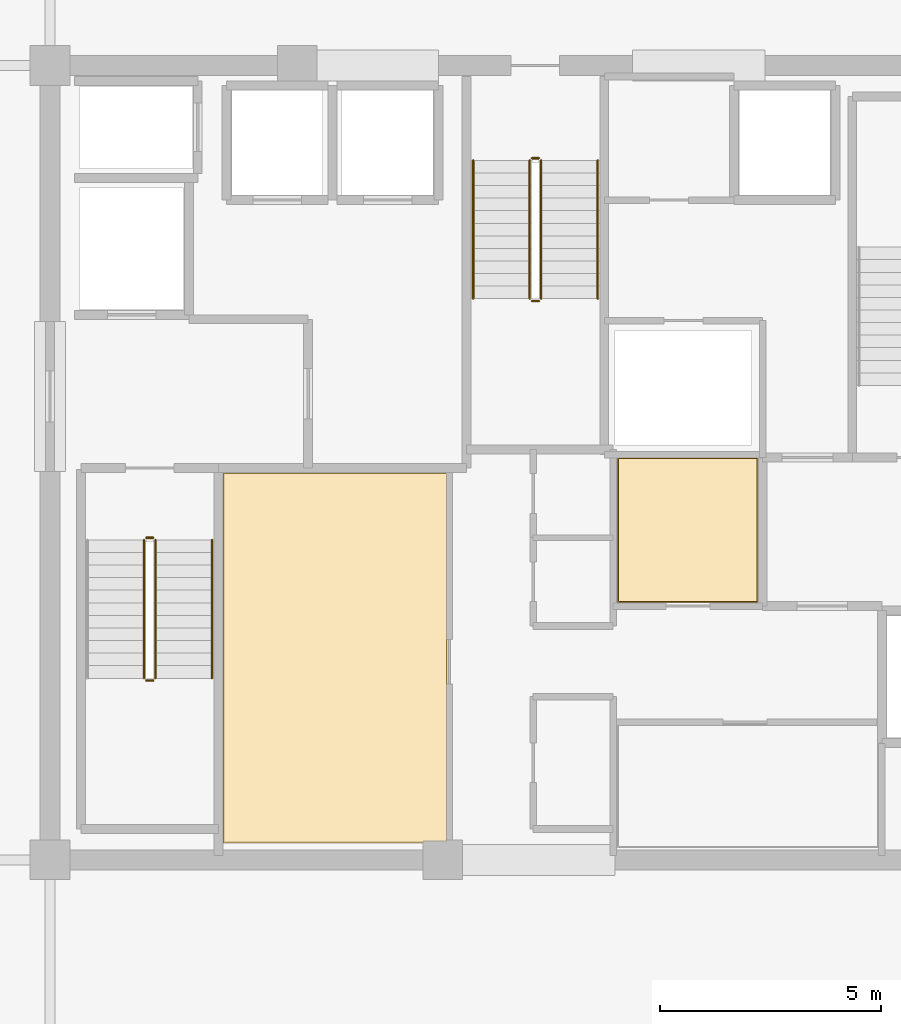
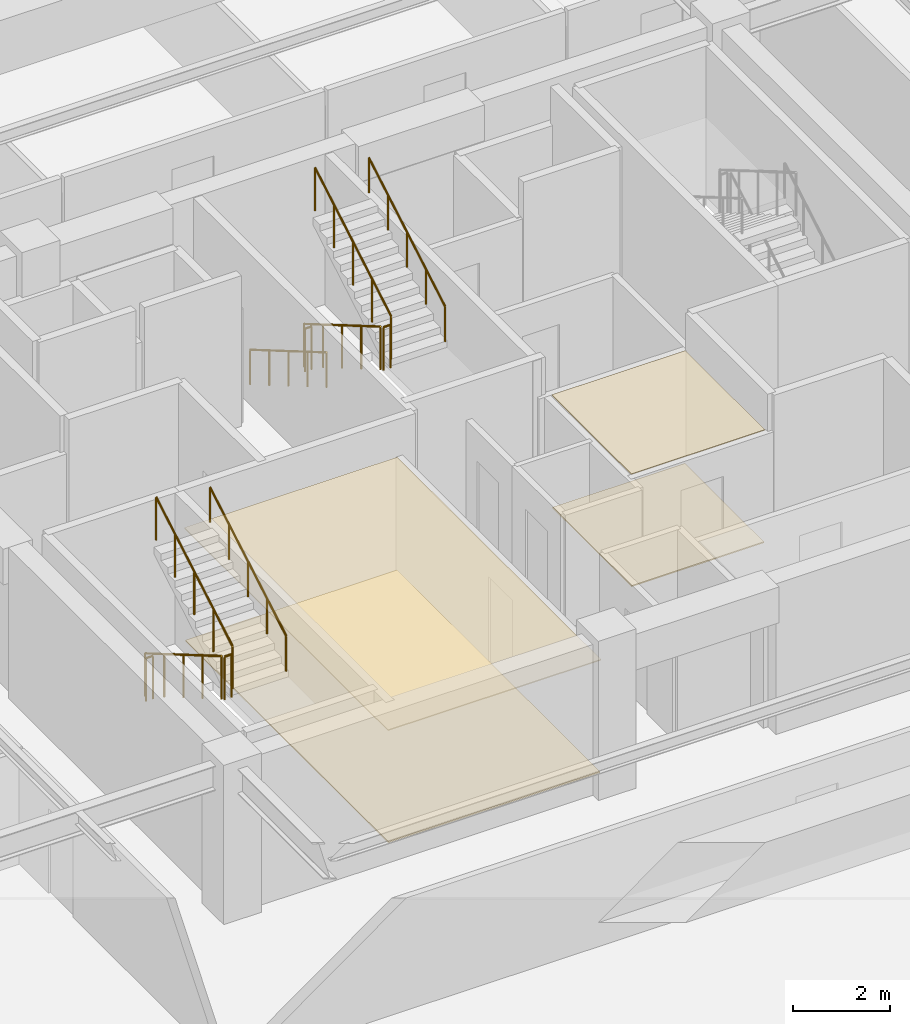
# One storey, part 18 of 20: 11 railings, 4 coverings.
"""IFC4 building model written with IfcOpenShell, lengths in metres."""

from ifc_helpers import new_model, si_unit, direction, frame, origin, origin_2d, place, context, subcontext, project, spatial, polyline, circle, outline, extrude, material, layer, layer_set, type_object, element, save


model = new_model("IFC4")

# Units and contexts
model_context = context("Model", 3, precision=1e-05, world=origin(), true_north=direction((0.0, 1.0)))
body_context = subcontext(model_context, "Body", "Model", "MODEL_VIEW")
ifc_project = project(units=[si_unit("LENGTHUNIT", "METRE"), si_unit("AREAUNIT", "SQUARE_METRE"), si_unit("VOLUMEUNIT", "CUBIC_METRE"), si_unit("PLANEANGLEUNIT", "RADIAN"), si_unit("MASSUNIT", "GRAM", prefix="KILO")], contexts=[model_context])

# Site, building, storey
site_placement = place(None, origin())
site = spatial("IfcSite", under=ifc_project, at=site_placement, CompositionType="ELEMENT")
building_placement = place(site_placement, origin())
building = spatial("IfcBuilding", under=site, at=building_placement, Name="Kovane Verandah Tower", CompositionType="ELEMENT")
storey_placement = place(building_placement, frame((0.0, 0.0, 287.199951171875)))
storey = spatial("IfcBuildingStorey", under=building, at=storey_placement, Name="L67", CompositionType="ELEMENT", Elevation=287.199951171875)

# Coverings
ifc_material_1 = material(Name="Perforated Acoustic Mineral-Fibre Ceiling Tile", Category="gypsum")
ifc_layer_1 = layer(ifc_material_1, 0.02490234375)
ifc_layer_set_1 = layer_set([ifc_layer_1], Name="Perforated Acoustic Mineral-Fibre Ceiling Tile")
covering_type_1 = type_object("IfcCoveringType", Name="CV-CEIL-25", PredefinedType="CEILING", material=ifc_layer_set_1)
covering_1_placement = place(storey_placement, frame((0.0, 0.0, 2.824951171875)))
element("IfcCovering", 1, at=covering_1_placement, inside=storey, type_object=covering_type_1, Name="L67 Tenant Wellness and Archive Suite Acoustic Ceiling", PredefinedType="CEILING", context=body_context, shape_type="SweptSolid", body=[
    extrude(outline(polyline([(32.93505859375, 18.885009765625), (37.9951171875, 18.885009765625), (37.9951171875, 27.264892578125), (32.93505859375, 27.264892578125), (32.93505859375, 18.885009765625)])), origin(), (0.0, 0.0, 1.0), 0.025146484375),
])
covering_2_placement = place(storey_placement, frame((0.0, 0.0, 2.824951171875)))
element("IfcCovering", 2, at=covering_2_placement, inside=storey, type_object=covering_type_1, Name="L67 Document Archive Room Acoustic Ceiling", PredefinedType="CEILING", context=body_context, shape_type="SweptSolid", body=[
    extrude(outline(polyline([(41.864990234375, 24.3349609375), (45.034912109375, 24.3349609375), (45.034912109375, 27.614990234375), (41.864990234375, 27.614990234375), (41.864990234375, 24.3349609375)])), origin(), (0.0, 0.0, 1.0), 0.025146484375),
])
ifc_material_2 = material(Name="Polished Terrazzo and Raised-Access Carpet Tile Finish", Category="concrete")
ifc_layer_2 = layer(ifc_material_2, 0.030029296875)
ifc_layer_set_2 = layer_set([ifc_layer_2], Name="Polished Terrazzo and Raised-Access Carpet Tile Finish")
covering_type_2 = type_object("IfcCoveringType", Name="CV-FLOR-30", PredefinedType="FLOORING", material=ifc_layer_set_2)
covering_3_placement = place(storey_placement, origin())
element("IfcCovering", 3, at=covering_3_placement, inside=storey, type_object=covering_type_2, Name="L67 Tenant Wellness and Archive Suite Floor Finish", PredefinedType="FLOORING", context=body_context, shape_type="SweptSolid", body=[
    extrude(outline(polyline([(32.949951171875, 18.89990234375), (37.97998046875, 18.89990234375), (37.97998046875, 27.25), (32.949951171875, 27.25), (32.949951171875, 18.89990234375)])), origin(), (0.0, 0.0, 1.0), 0.030029296875),
])
covering_4_placement = place(storey_placement, origin())
element("IfcCovering", 4, at=covering_4_placement, inside=storey, type_object=covering_type_2, Name="L67 Document Archive Room Floor Finish", PredefinedType="FLOORING", context=body_context, shape_type="SweptSolid", body=[
    extrude(outline(polyline([(41.8798828125, 24.35009765625), (45.02001953125, 24.35009765625), (45.02001953125, 27.60009765625), (41.8798828125, 27.60009765625), (41.8798828125, 24.35009765625)])), origin(), (0.0, 0.0, 1.0), 0.030029296875),
])

# Railings
ifc_material_3 = material(Name="Brushed Stainless Steel Handrail", Category="steel")
railing_type_1 = type_object("IfcRailingType", Name="RL-HAND-920", PredefinedType="HANDRAIL", material=ifc_material_3)
railing_1_placement = place(storey_placement, frame((32.669921875, 22.614990234375, 2.166748046875)))
element("IfcRailing", 5, at=railing_1_placement, inside=storey, type_object=railing_type_1, Name="L67 ST-01 stair handrail 2", PredefinedType="HANDRAIL", context=body_context, shape_type="SweptSolid", body=[
    extrude(circle(Radius=0.02392578125, at=origin_2d()), frame((0.0, 0.0, 0.8759765625), z_axis=(0.0, 0.863239559939, 0.504794475164), x_axis=(-1.0, 0.0, 0.0)), (0.0, 0.0, 1.0), 3.631591796875),
    extrude(circle(Radius=0.02099609375, at=origin_2d()), origin(), (0.0, 0.0, 1.0), 0.851806640625),
    extrude(circle(Radius=0.02099609375, at=origin_2d()), frame((0.0, 0.78369140625, 0.458251953125)), (0.0, 0.0, 1.0), 0.851806640625),
    extrude(circle(Radius=0.02099609375, at=origin_2d()), frame((0.0, 1.5673828125, 0.91650390625)), (0.0, 0.0, 1.0), 0.851806640625),
    extrude(circle(Radius=0.02099609375, at=origin_2d()), frame((0.0, 2.351318359375, 1.375)), (0.0, 0.0, 1.0), 0.851806640625),
    extrude(circle(Radius=0.02099609375, at=origin_2d()), frame((0.0, 3.135009765625, 1.833251953125)), (0.0, 0.0, 1.0), 0.851806640625),
])
railing_2_placement = place(storey_placement, frame((38.590087890625, 34.35009765625, 0.166748046875)))
element("IfcRailing", 6, at=railing_2_placement, inside=storey, type_object=railing_type_1, Name="L67 ST-03 stair handrail 1", PredefinedType="HANDRAIL", context=body_context, shape_type="SweptSolid", body=[
    extrude(circle(Radius=0.02392578125, at=origin_2d()), frame((0.0, 0.0, 0.8759765625), z_axis=(0.0, -0.863239559939, 0.504794475164), x_axis=(1.0, 0.0, 0.0)), (0.0, 0.0, 1.0), 3.631591796875),
    extrude(circle(Radius=0.02099609375, at=origin_2d()), origin(), (0.0, 0.0, 1.0), 0.851806640625),
    extrude(circle(Radius=0.02099609375, at=origin_2d()), frame((0.0, -0.78369140625, 0.458251953125)), (0.0, 0.0, 1.0), 0.851806640625),
    extrude(circle(Radius=0.02099609375, at=origin_2d()), frame((0.0, -1.5673828125, 0.91650390625)), (0.0, 0.0, 1.0), 0.851806640625),
    extrude(circle(Radius=0.02099609375, at=origin_2d()), frame((0.0, -2.351318359375, 1.375)), (0.0, 0.0, 1.0), 0.851806640625),
    extrude(circle(Radius=0.02099609375, at=origin_2d()), frame((0.0, -3.135009765625, 1.833251953125)), (0.0, 0.0, 1.0), 0.851806640625),
])
railing_3_placement = place(storey_placement, frame((41.409912109375, 31.215087890625, 2.166748046875)))
element("IfcRailing", 7, at=railing_3_placement, inside=storey, type_object=railing_type_1, Name="L67 ST-03 stair handrail 2", PredefinedType="HANDRAIL", context=body_context, shape_type="SweptSolid", body=[
    extrude(circle(Radius=0.02392578125, at=origin_2d()), frame((0.0, 0.0, 0.8759765625), z_axis=(0.0, 0.863239559939, 0.504794475164), x_axis=(-1.0, 0.0, 0.0)), (0.0, 0.0, 1.0), 3.631591796875),
    extrude(circle(Radius=0.02099609375, at=origin_2d()), origin(), (0.0, 0.0, 1.0), 0.851806640625),
    extrude(circle(Radius=0.02099609375, at=origin_2d()), frame((0.0, 0.78369140625, 0.458251953125)), (0.0, 0.0, 1.0), 0.851806640625),
    extrude(circle(Radius=0.02099609375, at=origin_2d()), frame((0.0, 1.5673828125, 0.91650390625)), (0.0, 0.0, 1.0), 0.851806640625),
    extrude(circle(Radius=0.02099609375, at=origin_2d()), frame((0.0, 2.351318359375, 1.375)), (0.0, 0.0, 1.0), 0.851806640625),
    extrude(circle(Radius=0.02099609375, at=origin_2d()), frame((0.0, 3.135009765625, 1.833251953125)), (0.0, 0.0, 1.0), 0.851806640625),
])
ifc_material_4 = material(Name="Painted Steel Stairwell Guardrail", Category="steel")
railing_type_2 = type_object("IfcRailingType", Name="RL-STGUARD-1120", PredefinedType="GUARDRAIL", material=ifc_material_4)
railing_4_placement = place(storey_placement, frame((31.1298828125, 25.75, 0.166748046875)))
element("IfcRailing", 8, at=railing_4_placement, inside=storey, type_object=railing_type_2, Name="L67 ST-01 stair guard 1", PredefinedType="GUARDRAIL", context=body_context, shape_type="SweptSolid", body=[
    extrude(circle(Radius=0.02392578125, at=origin_2d()), frame((0.0, 0.0, 1.076171875), z_axis=(0.0, -0.863239559939, 0.504794475164), x_axis=(1.0, 0.0, 0.0)), (0.0, 0.0, 1.0), 3.631591796875),
    extrude(circle(Radius=0.02099609375, at=origin_2d()), origin(), (0.0, 0.0, 1.0), 1.052001953125),
    extrude(circle(Radius=0.02099609375, at=origin_2d()), frame((0.0, -0.78369140625, 0.458251953125)), (0.0, 0.0, 1.0), 1.052001953125),
    extrude(circle(Radius=0.02099609375, at=origin_2d()), frame((0.0, -1.5673828125, 0.91650390625)), (0.0, 0.0, 1.0), 1.052001953125),
    extrude(circle(Radius=0.02099609375, at=origin_2d()), frame((0.0, -2.351318359375, 1.375)), (0.0, 0.0, 1.0), 1.052001953125),
    extrude(circle(Radius=0.02099609375, at=origin_2d()), frame((0.0, -3.135009765625, 1.833251953125)), (0.0, 0.0, 1.0), 1.052001953125),
])
railing_5_placement = place(storey_placement, frame((31.179931640625, 22.56494140625, 2.0)))
element("IfcRailing", 9, at=railing_5_placement, inside=storey, type_object=railing_type_2, Name="L67 ST-01 stair guard 2", PredefinedType="GUARDRAIL", context=body_context, shape_type="SweptSolid", body=[
    extrude(circle(Radius=0.02392578125, at=origin_2d()), frame((0.0, 0.0, 1.076171875), z_axis=(1.0, 0.0, 0.0), x_axis=(0.0, 1.0, 0.0)), (0.0, 0.0, 1.0), 0.16015625),
    extrude(circle(Radius=0.02099609375, at=origin_2d()), origin(), (0.0, 0.0, 1.0), 1.052001953125),
    extrude(circle(Radius=0.02099609375, at=origin_2d()), frame((0.16015625, 0.0, 0.0)), (0.0, 0.0, 1.0), 1.052001953125),
])
railing_6_placement = place(storey_placement, frame((31.389892578125, 22.614990234375, 2.166748046875)))
element("IfcRailing", 10, at=railing_6_placement, inside=storey, type_object=railing_type_2, Name="L67 ST-01 stair guard 3", PredefinedType="GUARDRAIL", context=body_context, shape_type="SweptSolid", body=[
    extrude(circle(Radius=0.02392578125, at=origin_2d()), frame((0.0, 0.0, 1.076171875), z_axis=(0.0, 0.863239559939, 0.504794475164), x_axis=(-1.0, 0.0, 0.0)), (0.0, 0.0, 1.0), 3.631591796875),
    extrude(circle(Radius=0.02099609375, at=origin_2d()), origin(), (0.0, 0.0, 1.0), 1.052001953125),
    extrude(circle(Radius=0.02099609375, at=origin_2d()), frame((0.0, 0.78369140625, 0.458251953125)), (0.0, 0.0, 1.0), 1.052001953125),
    extrude(circle(Radius=0.02099609375, at=origin_2d()), frame((0.0, 1.5673828125, 0.91650390625)), (0.0, 0.0, 1.0), 1.052001953125),
    extrude(circle(Radius=0.02099609375, at=origin_2d()), frame((0.0, 2.351318359375, 1.375)), (0.0, 0.0, 1.0), 1.052001953125),
    extrude(circle(Radius=0.02099609375, at=origin_2d()), frame((0.0, 3.135009765625, 1.833251953125)), (0.0, 0.0, 1.0), 1.052001953125),
])
railing_7_placement = place(storey_placement, frame((31.179931640625, 25.800048828125, 0.0)))
element("IfcRailing", 11, at=railing_7_placement, inside=storey, type_object=railing_type_2, Name="L67 ST-01 stair guard 4", PredefinedType="GUARDRAIL", context=body_context, shape_type="SweptSolid", body=[
    extrude(circle(Radius=0.02392578125, at=origin_2d()), frame((0.0, 0.0, 1.076171875), z_axis=(1.0, 0.0, 0.0), x_axis=(0.0, 1.0, 0.0)), (0.0, 0.0, 1.0), 0.16015625),
    extrude(circle(Radius=0.02099609375, at=origin_2d()), origin(), (0.0, 0.0, 1.0), 1.052001953125),
    extrude(circle(Radius=0.02099609375, at=origin_2d()), frame((0.16015625, 0.0, 0.0)), (0.0, 0.0, 1.0), 1.052001953125),
])
railing_8_placement = place(storey_placement, frame((39.8701171875, 34.35009765625, 0.166748046875)))
element("IfcRailing", 12, at=railing_8_placement, inside=storey, type_object=railing_type_2, Name="L67 ST-03 stair guard 1", PredefinedType="GUARDRAIL", context=body_context, shape_type="SweptSolid", body=[
    extrude(circle(Radius=0.02392578125, at=origin_2d()), frame((0.0, 0.0, 1.076171875), z_axis=(0.0, -0.863239559939, 0.504794475164), x_axis=(1.0, 0.0, 0.0)), (0.0, 0.0, 1.0), 3.631591796875),
    extrude(circle(Radius=0.02099609375, at=origin_2d()), origin(), (0.0, 0.0, 1.0), 1.052001953125),
    extrude(circle(Radius=0.02099609375, at=origin_2d()), frame((0.0, -0.78369140625, 0.458251953125)), (0.0, 0.0, 1.0), 1.052001953125),
    extrude(circle(Radius=0.02099609375, at=origin_2d()), frame((0.0, -1.5673828125, 0.91650390625)), (0.0, 0.0, 1.0), 1.052001953125),
    extrude(circle(Radius=0.02099609375, at=origin_2d()), frame((0.0, -2.351318359375, 1.375)), (0.0, 0.0, 1.0), 1.052001953125),
    extrude(circle(Radius=0.02099609375, at=origin_2d()), frame((0.0, -3.135009765625, 1.833251953125)), (0.0, 0.0, 1.0), 1.052001953125),
])
railing_9_placement = place(storey_placement, frame((39.919921875, 31.1650390625, 2.0)))
element("IfcRailing", 13, at=railing_9_placement, inside=storey, type_object=railing_type_2, Name="L67 ST-03 stair guard 2", PredefinedType="GUARDRAIL", context=body_context, shape_type="SweptSolid", body=[
    extrude(circle(Radius=0.02392578125, at=origin_2d()), frame((0.0, 0.0, 1.076171875), z_axis=(1.0, 0.0, 0.0), x_axis=(0.0, 1.0, 0.0)), (0.0, 0.0, 1.0), 0.16015625),
    extrude(circle(Radius=0.02099609375, at=origin_2d()), origin(), (0.0, 0.0, 1.0), 1.052001953125),
    extrude(circle(Radius=0.02099609375, at=origin_2d()), frame((0.16015625, 0.0, 0.0)), (0.0, 0.0, 1.0), 1.052001953125),
])
railing_10_placement = place(storey_placement, frame((40.1298828125, 31.215087890625, 2.166748046875)))
element("IfcRailing", 14, at=railing_10_placement, inside=storey, type_object=railing_type_2, Name="L67 ST-03 stair guard 3", PredefinedType="GUARDRAIL", context=body_context, shape_type="SweptSolid", body=[
    extrude(circle(Radius=0.02392578125, at=origin_2d()), frame((0.0, 0.0, 1.076171875), z_axis=(0.0, 0.863239559939, 0.504794475164), x_axis=(-1.0, 0.0, 0.0)), (0.0, 0.0, 1.0), 3.631591796875),
    extrude(circle(Radius=0.02099609375, at=origin_2d()), origin(), (0.0, 0.0, 1.0), 1.052001953125),
    extrude(circle(Radius=0.02099609375, at=origin_2d()), frame((0.0, 0.78369140625, 0.458251953125)), (0.0, 0.0, 1.0), 1.052001953125),
    extrude(circle(Radius=0.02099609375, at=origin_2d()), frame((0.0, 1.5673828125, 0.91650390625)), (0.0, 0.0, 1.0), 1.052001953125),
    extrude(circle(Radius=0.02099609375, at=origin_2d()), frame((0.0, 2.351318359375, 1.375)), (0.0, 0.0, 1.0), 1.052001953125),
    extrude(circle(Radius=0.02099609375, at=origin_2d()), frame((0.0, 3.135009765625, 1.833251953125)), (0.0, 0.0, 1.0), 1.052001953125),
])
railing_11_placement = place(storey_placement, frame((39.919921875, 34.39990234375, 0.0)))
element("IfcRailing", 15, at=railing_11_placement, inside=storey, type_object=railing_type_2, Name="L67 ST-03 stair guard 4", PredefinedType="GUARDRAIL", context=body_context, shape_type="SweptSolid", body=[
    extrude(circle(Radius=0.02392578125, at=origin_2d()), frame((0.0, 0.0, 1.076171875), z_axis=(1.0, 0.0, 0.0), x_axis=(0.0, 1.0, 0.0)), (0.0, 0.0, 1.0), 0.16015625),
    extrude(circle(Radius=0.02099609375, at=origin_2d()), origin(), (0.0, 0.0, 1.0), 1.052001953125),
    extrude(circle(Radius=0.02099609375, at=origin_2d()), frame((0.16015625, 0.0, 0.0)), (0.0, 0.0, 1.0), 1.052001953125),
])

save(model, "model.ifc")
